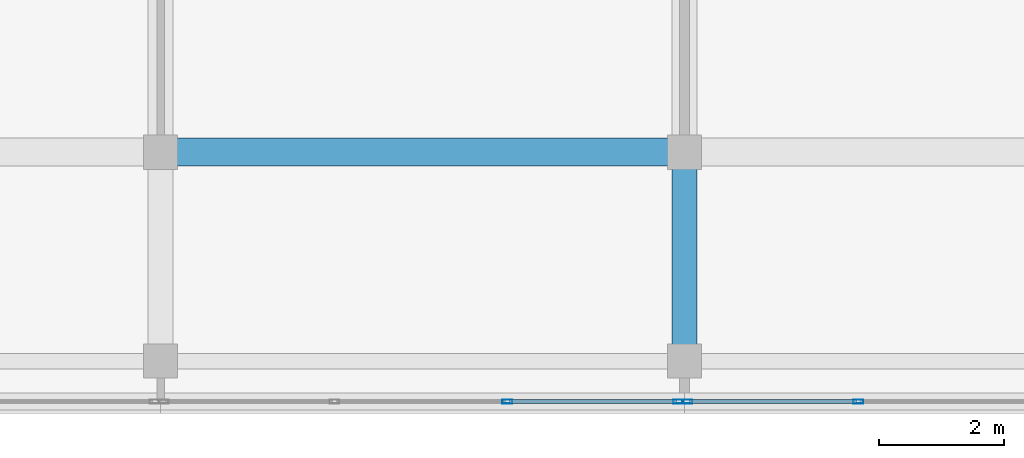
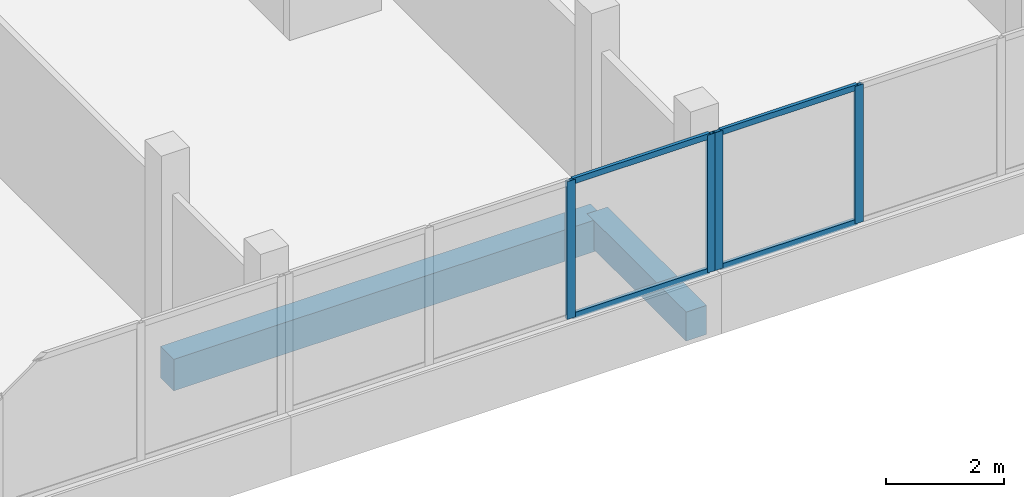
# One storey, part 27 of 66: 8 members, 2 beams, 2 elements without a shape of their own.
"""IFC4 building model written with IfcOpenShell, lengths in metres."""

from ifc_helpers import new_model, si_unit, direction, frame, origin, origin_2d, place, context, subcontext, project, spatial, rectangle, hollow_rectangle, extrude, material, material_profile, profile_set, type_object, element, aggregate, save


model = new_model("IFC4")

# Units and contexts
model_context = context("Model", 3, precision=1e-05, world=origin(), true_north=direction((0.0, 1.0)))
body_context = subcontext(model_context, "Body", "Model", "MODEL_VIEW")
ifc_project = project(units=[si_unit("LENGTHUNIT", "METRE"), si_unit("AREAUNIT", "SQUARE_METRE"), si_unit("VOLUMEUNIT", "CUBIC_METRE"), si_unit("PLANEANGLEUNIT", "RADIAN"), si_unit("MASSUNIT", "GRAM", prefix="KILO")], contexts=[model_context])

# Site, building, storey
site_placement = place(None, origin())
site = spatial("IfcSite", under=ifc_project, at=site_placement, CompositionType="ELEMENT")
building_placement = place(site_placement, origin())
building = spatial("IfcBuilding", under=site, at=building_placement, Name="Selatvlak General Hospital", CompositionType="ELEMENT")
storey_placement = place(building_placement, frame((0.0, 0.0, 31.35009765625)))
storey = spatial("IfcBuildingStorey", under=building, at=storey_placement, Name="L07", CompositionType="ELEMENT", Elevation=31.35009765625)

# Beams
ifc_material_1 = material(Name="Concrete C40/50", Category="concrete")
ifc_material_profile_1 = material_profile(ifc_material_1, rectangle(XDim=0.449951171875, YDim=0.64990234375, at=origin_2d()), Name="RC-BM 450x650")
ifc_profile_set_1 = profile_set([ifc_material_profile_1], Name="Concrete C40/50")
beam_type_1 = type_object("IfcBeamType", Name="BM-G04", PredefinedType="BEAM", material=ifc_profile_set_1)
beam_1_placement = place(storey_placement, frame((115.199951171875, 92.0, -0.59521484375), z_axis=(1.0, 0.0, 0.0), x_axis=(0.0, 1.0, 0.0)))
element("IfcBeam", 1, at=beam_1_placement, inside=storey, type_object=beam_type_1, Name="Beam BMR-L07-2392", PredefinedType="BEAM", context=body_context, shape_type="SweptSolid", body=[
    extrude(rectangle(XDim=0.449951171875, YDim=0.64990234375, at=origin_2d()), origin(), (0.0, 0.0, 1.0), 8.400146484375),
])
ifc_material_profile_2 = material_profile(ifc_material_1, rectangle(XDim=0.39990234375, YDim=0.60009765625, at=origin_2d()), Name="RC-BM 400x600")
ifc_profile_set_2 = profile_set([ifc_material_profile_2], Name="Concrete C40/50")
beam_type_2 = type_object("IfcBeamType", Name="BM-G05", PredefinedType="BEAM", material=ifc_profile_set_2)
beam_2_placement = place(storey_placement, frame((123.60009765625, 88.64990234375, -0.570068359375), z_axis=(0.0, 1.0, 0.0), x_axis=(-1.0, 0.0, 0.0)))
element("IfcBeam", 2, at=beam_2_placement, inside=storey, type_object=beam_type_2, Name="Beam BMR-L07-2514", PredefinedType="BEAM", context=body_context, shape_type="SweptSolid", body=[
    extrude(rectangle(XDim=0.39990234375, YDim=0.60009765625, at=origin_2d()), origin(), (0.0, 0.0, 1.0), 3.35009765625),
])

# Curtain wall, members
ifc_material_2 = material(Name="Solar-control Low-E double glazing", Category="glass")
curtain_wall_type_1 = type_object("IfcCurtainWallType", Name="CW-CW-01", PredefinedType="USERDEFINED", material=ifc_material_2)
curtain_wall_1_placement = place(storey_placement, origin())
curtain_wall_1 = element("IfcCurtainWall", 3, at=curtain_wall_1_placement, inside=storey, type_object=curtain_wall_type_1, Name="Glazed facade curtain wall CW-L07-0667", ObjectType="UNITISED CURTAIN WALL", PredefinedType="USERDEFINED")
ifc_material_3 = material(Name="Dark anodised aluminium mullion", Category="aluminium")
ifc_material_profile_3 = material_profile(ifc_material_3, hollow_rectangle(XDim=0.06494140625, YDim=0.159912109375, WallThickness=0.00390625, at=origin_2d()), Name="AL-MUL 65x160x4")
ifc_profile_set_3 = profile_set([ifc_material_profile_3], Name="Dark anodised aluminium mullion")
member_type_1 = type_object("IfcMemberType", Name="CWM-01", PredefinedType="MULLION", material=ifc_profile_set_3)
member_1_placement = place(storey_placement, frame((126.388427734375, 88.0009765625, 0.93994140625), z_axis=(0.0, 0.0, 1.0), x_axis=(0.0, -1.0, 0.0)))
member_1 = element("IfcMember", 4, at=member_1_placement, type_object=member_type_1, Name="CW-01 mullion 3", PredefinedType="MULLION", context=body_context, shape_type="SweptSolid", body=[
    extrude(hollow_rectangle(XDim=0.06494140625, YDim=0.159912109375, WallThickness=0.00390625, at=origin_2d()), origin(), (0.0, 0.0, 1.0), 2.844970703125),
])
member_2_placement = place(storey_placement, frame((123.6474609375, 88.0009765625, 0.93994140625), z_axis=(0.0, 0.0, 1.0), x_axis=(0.0, -1.0, 0.0)))
member_2 = element("IfcMember", 5, at=member_2_placement, type_object=member_type_1, Name="CW-01 mullion 4", PredefinedType="MULLION", context=body_context, shape_type="SweptSolid", body=[
    extrude(hollow_rectangle(XDim=0.06494140625, YDim=0.159912109375, WallThickness=0.00390625, at=origin_2d()), origin(), (0.0, 0.0, 1.0), 2.844970703125),
])

curtain_wall_type_2 = type_object("IfcCurtainWallType", Name="CW-CW-02", PredefinedType="USERDEFINED", material=ifc_material_2)
curtain_wall_2_placement = place(storey_placement, origin())
curtain_wall_2 = element("IfcCurtainWall", 6, at=curtain_wall_2_placement, inside=storey, type_object=curtain_wall_type_2, Name="Glazed facade curtain wall CW-L07-0668", ObjectType="UNITISED CURTAIN WALL", PredefinedType="USERDEFINED")
member_3_placement = place(storey_placement, frame((123.50244140625, 88.0009765625, 0.93994140625), z_axis=(0.0, 0.0, 1.0), x_axis=(0.0, -1.0, 0.0)))
member_3 = element("IfcMember", 7, at=member_3_placement, type_object=member_type_1, Name="CW-02 mullion 1", PredefinedType="MULLION", context=body_context, shape_type="SweptSolid", body=[
    extrude(hollow_rectangle(XDim=0.06494140625, YDim=0.159912109375, WallThickness=0.00390625, at=origin_2d()), origin(), (0.0, 0.0, 1.0), 2.844970703125),
])
member_4_placement = place(storey_placement, frame((120.76171875, 88.0009765625, 0.93994140625), z_axis=(0.0, 0.0, 1.0), x_axis=(0.0, -1.0, 0.0)))
member_4 = element("IfcMember", 8, at=member_4_placement, type_object=member_type_1, Name="CW-02 mullion 2", PredefinedType="MULLION", context=body_context, shape_type="SweptSolid", body=[
    extrude(hollow_rectangle(XDim=0.06494140625, YDim=0.159912109375, WallThickness=0.00390625, at=origin_2d()), origin(), (0.0, 0.0, 1.0), 2.844970703125),
])

# Member
ifc_material_profile_4 = material_profile(ifc_material_3, hollow_rectangle(XDim=0.06494140625, YDim=0.1201171875, WallThickness=0.00390625, at=origin_2d()), Name="AL-TRN 65x120x4")
ifc_profile_set_4 = profile_set([ifc_material_profile_4], Name="Dark anodised aluminium mullion")
member_type_2 = type_object("IfcMemberType", Name="CWT-01", PredefinedType="USERDEFINED", material=ifc_profile_set_4)
member_5_placement = place(storey_placement, frame((126.355712890625, 88.0009765625, 0.972412109375), z_axis=(-1.0, 0.0, 0.0), x_axis=(0.0, -1.0, 0.0)))
member_5 = element("IfcMember", 9, at=member_5_placement, type_object=member_type_2, Name="CW-01 transom 3.1", ObjectType="TRANSOM", PredefinedType="USERDEFINED", context=body_context, shape_type="SweptSolid", body=[
    extrude(hollow_rectangle(XDim=0.06494140625, YDim=0.1201171875, WallThickness=0.00390625, at=origin_2d()), origin(), (0.0, 0.0, 1.0), 2.67578125),
])

member_6_placement = place(storey_placement, frame((126.355712890625, 88.0009765625, 3.75244140625), z_axis=(-1.0, 0.0, 0.0), x_axis=(0.0, -1.0, 0.0)))
member_6 = element("IfcMember", 10, at=member_6_placement, type_object=member_type_2, Name="CW-01 transom 3.2", ObjectType="TRANSOM", PredefinedType="USERDEFINED", context=body_context, shape_type="SweptSolid", body=[
    extrude(hollow_rectangle(XDim=0.06494140625, YDim=0.1201171875, WallThickness=0.00390625, at=origin_2d()), origin(), (0.0, 0.0, 1.0), 2.67578125),
])

aggregate(curtain_wall_1, [member_1, member_2, member_5, member_6])

member_7_placement = place(storey_placement, frame((123.469970703125, 88.0009765625, 0.972412109375), z_axis=(-1.0, 0.0, 0.0), x_axis=(0.0, -1.0, 0.0)))
member_7 = element("IfcMember", 11, at=member_7_placement, type_object=member_type_2, Name="CW-02 transom 1.1", ObjectType="TRANSOM", PredefinedType="USERDEFINED", context=body_context, shape_type="SweptSolid", body=[
    extrude(hollow_rectangle(XDim=0.06494140625, YDim=0.1201171875, WallThickness=0.00390625, at=origin_2d()), origin(), (0.0, 0.0, 1.0), 2.67578125),
])

member_8_placement = place(storey_placement, frame((123.469970703125, 88.0009765625, 3.75244140625), z_axis=(-1.0, 0.0, 0.0), x_axis=(0.0, -1.0, 0.0)))
member_8 = element("IfcMember", 12, at=member_8_placement, type_object=member_type_2, Name="CW-02 transom 1.2", ObjectType="TRANSOM", PredefinedType="USERDEFINED", context=body_context, shape_type="SweptSolid", body=[
    extrude(hollow_rectangle(XDim=0.06494140625, YDim=0.1201171875, WallThickness=0.00390625, at=origin_2d()), origin(), (0.0, 0.0, 1.0), 2.67578125),
])

aggregate(curtain_wall_2, [member_3, member_4, member_7, member_8])

save(model, "model.ifc")
